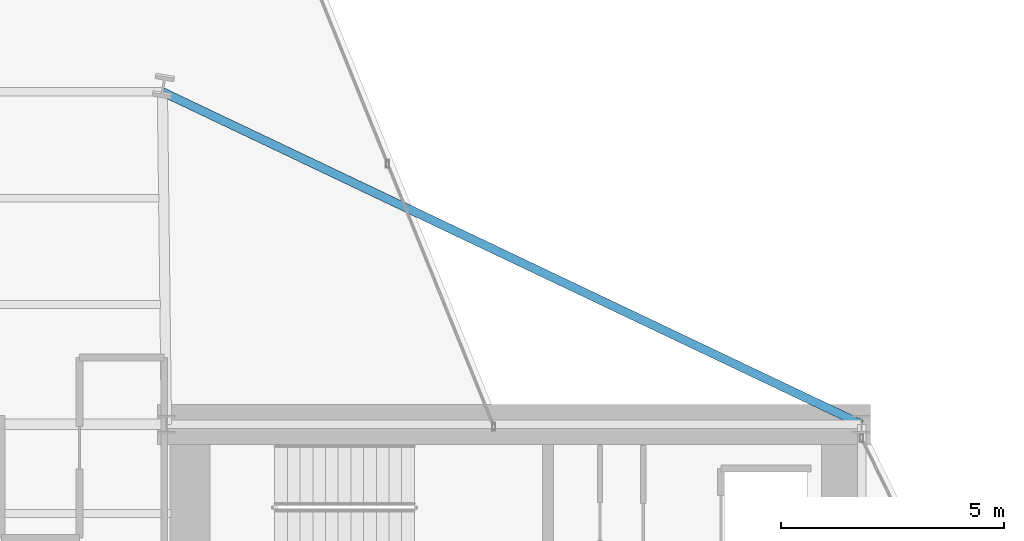
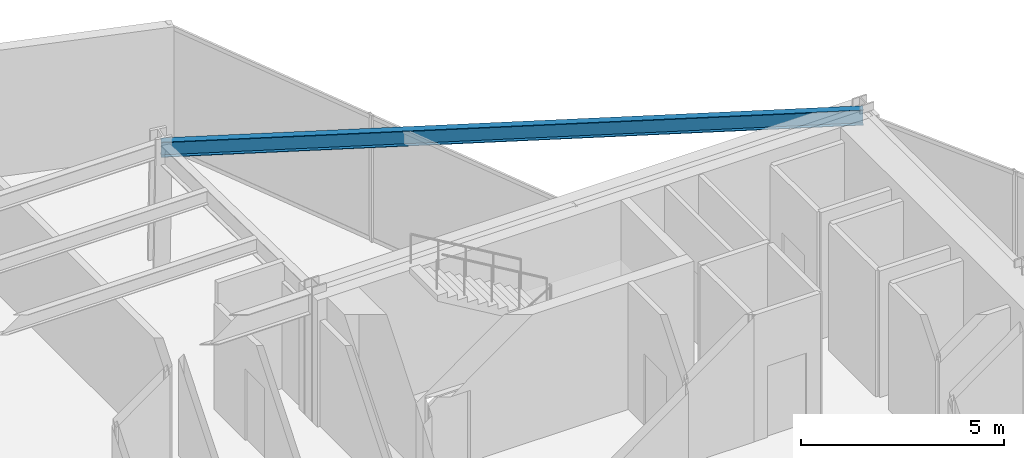
# One storey, part 22 of 31: 1 beam.
"""IFC4 building model written with IfcOpenShell, lengths in metres."""

from ifc_helpers import new_model, si_unit, direction, frame, origin, origin_2d, place, context, subcontext, project, spatial, i_section, extrude, material, material_profile, profile_set, type_object, element, save


model = new_model("IFC4")

# Units and contexts
model_context = context("Model", 3, precision=1e-05, world=origin(), true_north=direction((0.0, 1.0)))
body_context = subcontext(model_context, "Body", "Model", "MODEL_VIEW")
ifc_project = project(units=[si_unit("LENGTHUNIT", "METRE"), si_unit("AREAUNIT", "SQUARE_METRE"), si_unit("VOLUMEUNIT", "CUBIC_METRE"), si_unit("PLANEANGLEUNIT", "RADIAN"), si_unit("MASSUNIT", "GRAM", prefix="KILO")], contexts=[model_context])

# Site, building, storey
site_placement = place(None, origin())
site = spatial("IfcSite", under=ifc_project, at=site_placement, CompositionType="ELEMENT")
building_placement = place(site_placement, origin())
building = spatial("IfcBuilding", under=site, at=building_placement, Name="Veymaron Broadcast Tower", CompositionType="ELEMENT")
storey_placement = place(building_placement, frame((0.0, 0.0, 70.199951171875)))
storey = spatial("IfcBuildingStorey", under=building, at=storey_placement, Name="L15", CompositionType="ELEMENT", Elevation=70.199951171875)

# Beam
ifc_material = material(Name="Structural steel ASTM A992 Gr 50", Category="steel")
ifc_material_profile = material_profile(ifc_material, i_section(OverallWidth=0.19091796875, OverallDepth=0.4599609375, WebThickness=0.010009765625, FlangeThickness=0.01611328125, at=origin_2d()), Name="W460X82")
ifc_profile_set = profile_set([ifc_material_profile], Name="Structural steel ASTM A992 Gr 50")
beam_type = type_object("IfcBeamType", Name="BM-SP1", PredefinedType="SPANDREL", material=ifc_profile_set)
beam_placement = place(storey_placement, frame((54.60009765625, 32.0, 3.580078125), z_axis=(-0.903118549841, 0.429391295828, 0.0), x_axis=(-0.429391295828, -0.903118549841, 0.0)))
element("IfcBeam", 1, at=beam_placement, inside=storey, type_object=beam_type, Name="L15 primary structural floor girder", PredefinedType="SPANDREL", context=body_context, shape_type="SweptSolid", body=[
    extrude(i_section(OverallWidth=0.19091796875, OverallDepth=0.4599609375, WebThickness=0.010009765625, FlangeThickness=0.01611328125, at=origin_2d()), origin(), (0.0, 0.0, 1.0), 17.373291015625),
])

save(model, "model.ifc")
